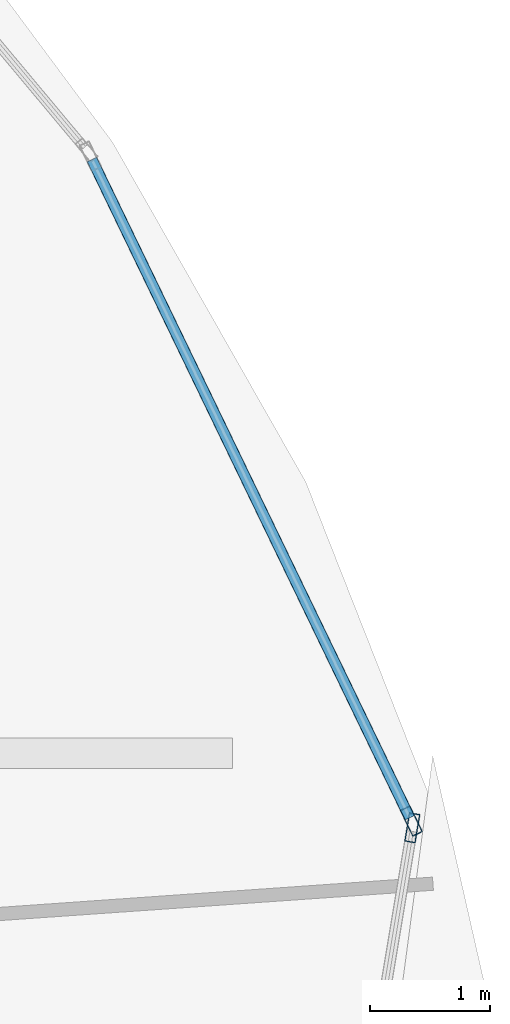
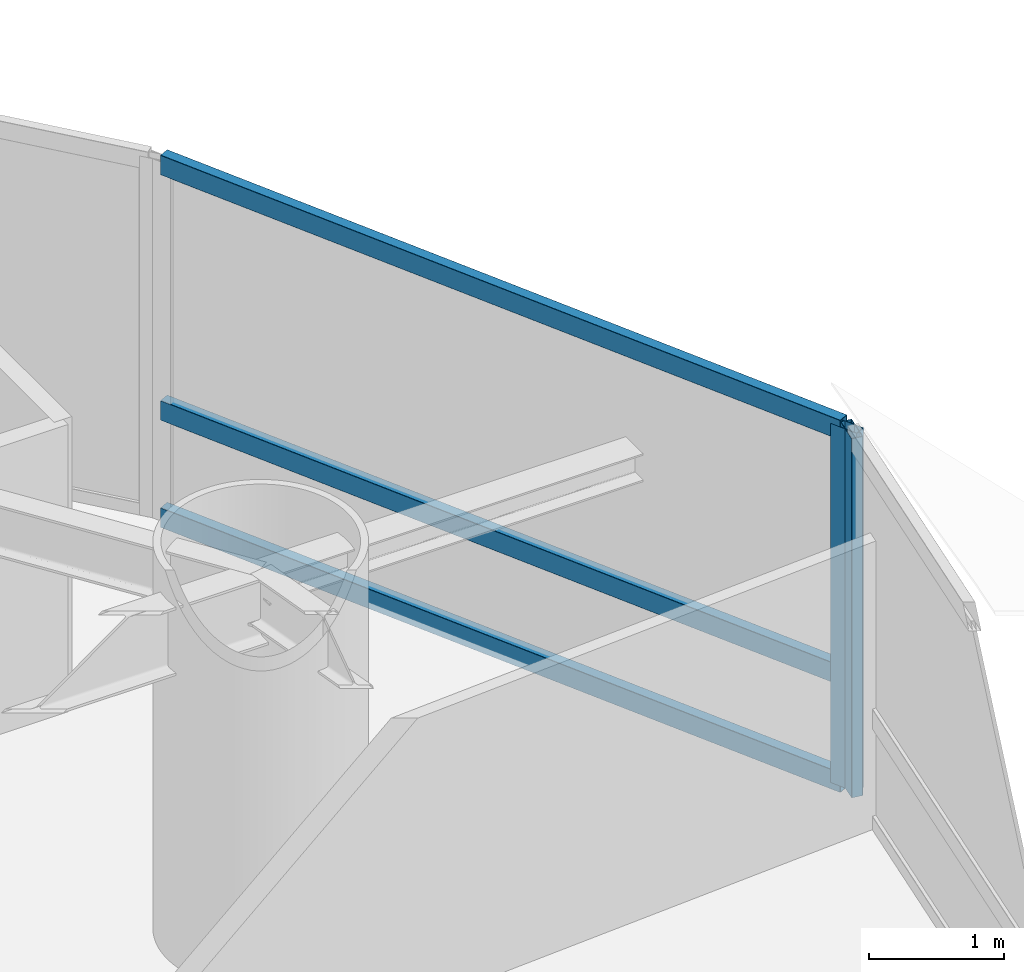
# One storey, part 12 of 25: 5 members, 2 elements without a shape of their own.
"""IFC4 building model written with IfcOpenShell, lengths in metres."""

from ifc_helpers import new_model, si_unit, direction, frame, origin, origin_2d, place, context, subcontext, project, spatial, hollow_rectangle, extrude, material, layer, layer_set, material_profile, profile_set, type_object, element, aggregate, save


model = new_model("IFC4")

# Units and contexts
model_context = context("Model", 3, precision=1e-05, world=origin(), true_north=direction((0.0, 1.0)))
body_context = subcontext(model_context, "Body", "Model", "MODEL_VIEW")
ifc_project = project(units=[si_unit("LENGTHUNIT", "METRE"), si_unit("AREAUNIT", "SQUARE_METRE"), si_unit("VOLUMEUNIT", "CUBIC_METRE"), si_unit("PLANEANGLEUNIT", "RADIAN"), si_unit("MASSUNIT", "GRAM", prefix="KILO")], contexts=[model_context])

# Site, building, storey
site_placement = place(None, origin())
site = spatial("IfcSite", under=ifc_project, at=site_placement, CompositionType="ELEMENT")
building_placement = place(site_placement, origin())
building = spatial("IfcBuilding", under=site, at=building_placement, Name="Bramvorn Convention Spire", CompositionType="ELEMENT")
storey_placement = place(building_placement, frame((0.0, 0.0, 55.39990234375)))
storey = spatial("IfcBuildingStorey", under=building, at=storey_placement, Name="L11", CompositionType="ELEMENT", Elevation=55.39990234375)

# Curtain wall, member
ifc_material_1 = material(Name="Anodised Bronze Unitised Curtain Wall", Category="aluminium")
ifc_layer = layer(ifc_material_1, 0.219970703125)
ifc_layer_set = layer_set([ifc_layer], Name="Anodised Bronze Unitised Curtain Wall - CW-SKYGARDEN")
curtain_wall_type = type_object("IfcCurtainWallType", Name="CW-SKYGARDEN", PredefinedType="USERDEFINED", material=ifc_layer_set)
curtain_wall_1_placement = place(storey_placement, origin())
curtain_wall_1 = element("IfcCurtainWall", 1, at=curtain_wall_1_placement, inside=storey, type_object=curtain_wall_type, Name="L11 Sky Garden glazed facade 01", ObjectType="WINTER GARDEN GLAZING", PredefinedType="USERDEFINED")
ifc_material_2 = material(Name="Anodised Bronze Aluminium 6063-T6", Category="aluminium")
ifc_material_profile_1 = material_profile(ifc_material_2, hollow_rectangle(XDim=0.090087890625, YDim=0.239990234375, WallThickness=0.00439453125, InnerFilletRadius=0.0009765625, OuterFilletRadius=0.00439453125, at=origin_2d()))
ifc_profile_set_1 = profile_set([ifc_material_profile_1], Name="Anodised Bronze Aluminium 6063-T6 - CWM90X240")
member_type_1 = type_object("IfcMemberType", Name="CW-MUL-220", PredefinedType="MULLION", material=ifc_profile_set_1)
member_1_placement = place(storey_placement, frame((70.03662109375, 28.717529296875, 0.0), z_axis=(0.0, 0.0, 1.0), x_axis=(0.986356926215, -0.164620819183, 0.0)))
member_1 = element("IfcMember", 2, at=member_1_placement, type_object=member_type_1, Name="CW4 mullion 1", PredefinedType="MULLION", context=body_context, shape_type="SweptSolid", body=[
    extrude(hollow_rectangle(XDim=0.090087890625, YDim=0.239990234375, WallThickness=0.00439453125, InnerFilletRadius=0.0009765625, OuterFilletRadius=0.00439453125, at=origin_2d()), origin(), (0.0, 0.0, 1.0), 3.25),
])
aggregate(curtain_wall_1, [member_1])

# Curtain wall, members
curtain_wall_2_placement = place(storey_placement, origin())
curtain_wall_2 = element("IfcCurtainWall", 3, at=curtain_wall_2_placement, inside=storey, type_object=curtain_wall_type, Name="L11 Sky Garden glazed facade 02", ObjectType="WINTER GARDEN GLAZING", PredefinedType="USERDEFINED")
member_2_placement = place(storey_placement, frame((70.028564453125, 28.774169921875, 0.0), z_axis=(0.0, 0.0, 1.0), x_axis=(0.900535770947, 0.434781928379, 0.0)))
member_2 = element("IfcMember", 4, at=member_2_placement, type_object=member_type_1, Name="CW4 mullion 2", PredefinedType="MULLION", context=body_context, shape_type="SweptSolid", body=[
    extrude(hollow_rectangle(XDim=0.090087890625, YDim=0.239990234375, WallThickness=0.00439453125, InnerFilletRadius=0.0009765625, OuterFilletRadius=0.00439453125, at=origin_2d()), origin(), (0.0, 0.0, 1.0), 3.25),
])
ifc_material_profile_2 = material_profile(ifc_material_2, hollow_rectangle(XDim=0.090087890625, YDim=0.179931640625, WallThickness=0.00439453125, InnerFilletRadius=0.0009765625, OuterFilletRadius=0.00439453125, at=origin_2d()))
ifc_profile_set_2 = profile_set([ifc_material_profile_2], Name="Anodised Bronze Aluminium 6063-T6 - CWT90X180")
member_type_2 = type_object("IfcMemberType", Name="CW-TRN-180", PredefinedType="USERDEFINED", material=ifc_profile_set_2)
member_3_placement = place(storey_placement, frame((67.36669921875, 34.287353515625, 0.030029296875), z_axis=(0.434779325116, -0.900537027807, 0.0), x_axis=(0.900537027807, 0.434779325116, 0.0)))
member_3 = element("IfcMember", 5, at=member_3_placement, type_object=member_type_2, Name="CW4 transom 1.1", ObjectType="TRANSOM", PredefinedType="USERDEFINED", context=body_context, shape_type="SweptSolid", body=[
    extrude(hollow_rectangle(XDim=0.090087890625, YDim=0.179931640625, WallThickness=0.00439453125, InnerFilletRadius=0.0009765625, OuterFilletRadius=0.00439453125, at=origin_2d()), origin(), (0.0, 0.0, 1.0), 6.092041015625),
])
member_4_placement = place(storey_placement, frame((67.36669921875, 34.287353515625, 1.0), z_axis=(0.434779325116, -0.900537027807, 0.0), x_axis=(0.900537027807, 0.434779325116, 0.0)))
member_4 = element("IfcMember", 6, at=member_4_placement, type_object=member_type_2, Name="CW4 transom 1.2", ObjectType="TRANSOM", PredefinedType="USERDEFINED", context=body_context, shape_type="SweptSolid", body=[
    extrude(hollow_rectangle(XDim=0.090087890625, YDim=0.179931640625, WallThickness=0.00439453125, InnerFilletRadius=0.0009765625, OuterFilletRadius=0.00439453125, at=origin_2d()), origin(), (0.0, 0.0, 1.0), 6.092041015625),
])
member_5_placement = place(storey_placement, frame((67.36669921875, 34.287353515625, 3.22021484375), z_axis=(0.434779325116, -0.900537027807, 0.0), x_axis=(0.900537027807, 0.434779325116, 0.0)))
member_5 = element("IfcMember", 7, at=member_5_placement, type_object=member_type_2, Name="CW4 transom 1.3", ObjectType="TRANSOM", PredefinedType="USERDEFINED", context=body_context, shape_type="SweptSolid", body=[
    extrude(hollow_rectangle(XDim=0.090087890625, YDim=0.179931640625, WallThickness=0.00439453125, InnerFilletRadius=0.0009765625, OuterFilletRadius=0.00439453125, at=origin_2d()), origin(), (0.0, 0.0, 1.0), 6.092041015625),
])
aggregate(curtain_wall_2, [member_2, member_3, member_4, member_5])

save(model, "model.ifc")
